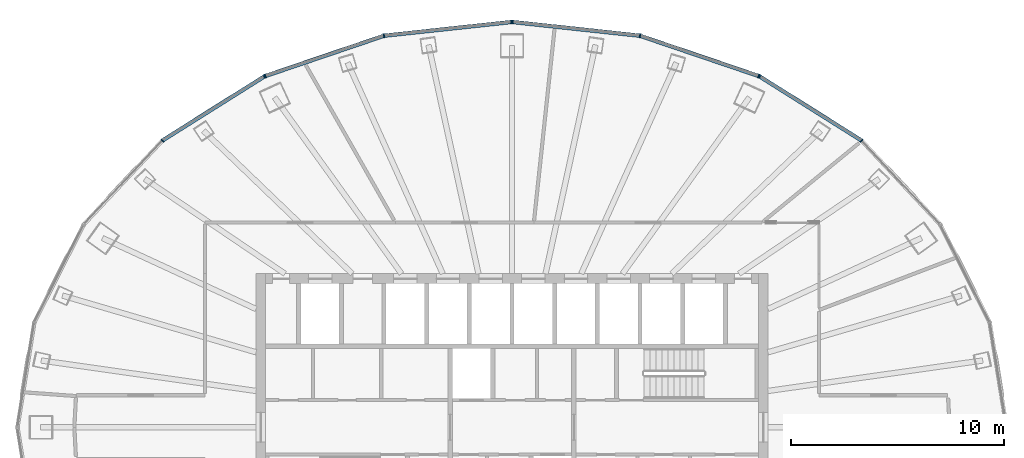
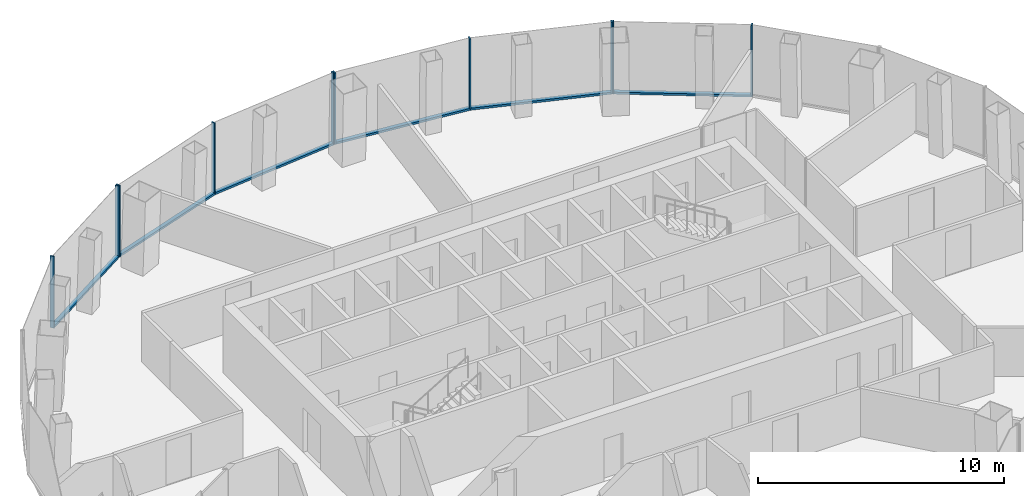
# One storey, part 6 of 11: 16 members, 4 elements without a shape of their own.
"""IFC4 building model written with IfcOpenShell, lengths in metres."""

import ifcopenshell
import ifcopenshell.guid

model = None  # the IFC model being written
_history = None  # IfcOwnerHistory: only IFC2X3 demands one
_inside = {}  # id of a spatial element -> (the spatial element, [elements in it])
_under = {}  # id of a project, library or spatial element -> (it, [spatial elements below it])
_declared = {}  # id of a project -> (the project, [libraries it declares])
_typed = {}  # id of a type object -> (the type object, [elements of that type])
_made_of = {}  # id of a material, layer set ... -> (it, [elements and type objects made of it])


def new_model(schema):
    """Start an empty IFC model of exactly this schema.

    Asked for "IFC4X3", IfcOpenShell would pick the latest addendum, in which some entities
    have other attributes; the version numbers below select the first issue.
    IFC2X3 requires an IfcOwnerHistory on every rooted entity: one is made here for all.
    """
    global model, _history
    if schema == "IFC4X3":
        model = ifcopenshell.file(schema_version=(4, 3, 0, 0))
    else:
        model = ifcopenshell.file(schema=schema)
    _inside.clear()
    _under.clear()
    _declared.clear()
    _typed.clear()
    _made_of.clear()
    _history = None
    if model.schema == "IFC2X3":
        org = make("IfcOrganization", Name="unknown")
        user = make(
            "IfcPersonAndOrganization",
            ThePerson=make("IfcPerson", FamilyName="unknown"),
            TheOrganization=org,
        )
        app = make(
            "IfcApplication",
            ApplicationDeveloper=org,
            Version="unknown",
            ApplicationFullName="unknown",
            ApplicationIdentifier="unknown",
        )
        _history = make(
            "IfcOwnerHistory",
            OwningUser=user,
            OwningApplication=app,
            ChangeAction="ADDED",
            CreationDate=0,
        )
    return model


def make(cls, **values):
    """One entity of the class cls with the attributes given. An attribute that is None is left unset."""
    return model.create_entity(
        cls, **{name: value for name, value in values.items() if value is not None}
    )


def rooted(cls, **values):
    """An entity with a GlobalId (a new one), such as an element, a storey or a relation."""
    return make(cls, GlobalId=ifcopenshell.guid.new(), OwnerHistory=_history, **values)


def si_unit(unit_type, name, prefix=None):
    """IfcSIUnit, for example si_unit("LENGTHUNIT", "METRE", prefix="MILLI")."""
    return make("IfcSIUnit", UnitType=unit_type, Prefix=prefix, Name=name)


def assignment(units):
    """IfcUnitAssignment: the units of a project."""
    return None if units is None else make("IfcUnitAssignment", Units=units)


def point(xyz):
    """IfcCartesianPoint."""
    return None if xyz is None else make("IfcCartesianPoint", Coordinates=xyz)


def direction(xyz):
    """IfcDirection."""
    return None if xyz is None else make("IfcDirection", DirectionRatios=xyz)


def frame(location, z_axis=None, x_axis=None):
    """IfcAxis2Placement3D, a coordinate frame: its origin and axes. An axis left out is left unset."""
    return make(
        "IfcAxis2Placement3D",
        Location=point(location),
        Axis=direction(z_axis),
        RefDirection=direction(x_axis),
    )


def frame_2d(location, x_axis=None):
    """IfcAxis2Placement2D, a coordinate frame in the plane: its origin and x axis."""
    return make(
        "IfcAxis2Placement2D", Location=point(location), RefDirection=direction(x_axis)
    )


def origin():
    """The frame at (0, 0, 0) with its axes left unset."""
    return frame((0.0, 0.0, 0.0))


def origin_2d():
    """The frame at (0, 0) in the plane with its x axis left unset."""
    return frame_2d((0.0, 0.0))


def place(relative_to, where):
    """IfcLocalPlacement: puts the frame where relative to a parent placement (None: the world)."""
    return make(
        "IfcLocalPlacement", PlacementRelTo=relative_to, RelativePlacement=where
    )


def context(
    kind, dimensions, precision=None, world=None, true_north=None, identifier=None
):
    """IfcGeometricRepresentationContext, for example the 3D "Model" context."""
    return make(
        "IfcGeometricRepresentationContext",
        ContextIdentifier=identifier,
        ContextType=kind,
        CoordinateSpaceDimension=dimensions,
        Precision=precision,
        WorldCoordinateSystem=world,
        TrueNorth=true_north,
    )


def subcontext(parent, identifier, kind, view, scale=None):
    """IfcGeometricRepresentationSubContext, for example "Body" below "Model"."""
    return make(
        "IfcGeometricRepresentationSubContext",
        ContextIdentifier=identifier,
        ContextType=kind,
        ParentContext=parent,
        TargetScale=scale,
        TargetView=view,
    )


def project(units=None, contexts=None):
    """IfcProject with its units and contexts."""
    return rooted(
        "IfcProject",
        Name="project",
        RepresentationContexts=contexts,
        UnitsInContext=assignment(units),
    )


def spatial(cls, under=None, at=None, **own):
    """A site, building, storey or space (cls), placed at a placement, below another one or the project."""
    s = rooted(cls, ObjectPlacement=at, **own)
    if under is not None:
        _under.setdefault(under.id(), (under, []))[1].append(s)
    return s


def profile(cls, at=None, kind="AREA", **sizes):
    """A parametric profile (cls). Its sizes go by their IFC names, for example OverallWidth=200.0."""
    return make(cls, ProfileType=kind, Position=at, **sizes)


def rectangle(**sizes):
    """IfcRectangleProfileDef."""
    return profile("IfcRectangleProfileDef", **sizes)


def extrude(swept, where, along, depth):
    """IfcExtrudedAreaSolid: the profile swept, set in the frame where, extruded along a direction by depth."""
    return make(
        "IfcExtrudedAreaSolid",
        SweptArea=swept,
        Position=where,
        ExtrudedDirection=direction(along),
        Depth=depth,
    )


def shape(context_of_items, identifier, shape_type, items):
    """IfcShapeRepresentation: the items that make up one representation, for example the "Body"."""
    return make(
        "IfcShapeRepresentation",
        ContextOfItems=context_of_items,
        RepresentationIdentifier=identifier,
        RepresentationType=shape_type,
        Items=items,
    )


def material(Name=None, Category=None):
    """IfcMaterial."""
    return make("IfcMaterial", Name=Name, Category=Category)


def layer(
    of_material, thickness, ventilated=None, Name=None, Category=None, Priority=None
):
    """IfcMaterialLayer: one layer of a wall or slab, of a material (None: an air gap)."""
    return make(
        "IfcMaterialLayer",
        Material=of_material,
        LayerThickness=thickness,
        IsVentilated=ventilated,
        Name=Name,
        Category=Category,
        Priority=Priority,
    )


def layer_set(layers, Name=None):
    """IfcMaterialLayerSet."""
    return make("IfcMaterialLayerSet", MaterialLayers=layers, LayerSetName=Name)


def material_profile(
    of_material, cross_section, Name=None, Category=None, Priority=None
):
    """IfcMaterialProfile: a cross section and its material."""
    return make(
        "IfcMaterialProfile",
        Name=Name,
        Material=of_material,
        Profile=cross_section,
        Priority=Priority,
        Category=Category,
    )


def profile_set(profiles, Name=None, composite=None):
    """IfcMaterialProfileSet."""
    return make(
        "IfcMaterialProfileSet",
        Name=Name,
        MaterialProfiles=profiles,
        CompositeProfile=composite,
    )


def made_of(thing, what):
    """Note that an element or type object is made of a material, layer set ...; save() writes the relation."""
    if what is not None:
        _made_of.setdefault(what.id(), (what, []))[1].append(thing)
    return thing


def type_object(cls, material=None, **own):
    """A type object (cls), such as IfcWallType, which elements share."""
    return made_of(rooted(cls, **own), material)


def element(
    cls,
    number,
    at=None,
    inside=None,
    cuts=None,
    type_object=None,
    material=None,
    context=None,
    identifier="Body",
    shape_type=None,
    held_by="IfcProductDefinitionShape",
    body=None,
    shapes=None,
    **own,
):
    """One element of the class cls, such as IfcWall. Its Tag is "e" and its number.

    at: its placement. inside: the storey or other place that contains it. cuts: it is an
    opening in that element (IfcRelVoidsElement). A single representation is given by context,
    identifier, shape_type and body (its items); several are given by shapes. held_by: the class
    of the entity that holds the representations. save() writes the other relations.
    """
    e = rooted(cls, Tag="e%d" % number, ObjectPlacement=at, **own)
    if body is not None:
        shapes = [shape(context, identifier, shape_type, body)]
    if shapes is not None:
        e.Representation = make(held_by, Representations=shapes)
    if inside is not None:
        _inside.setdefault(inside.id(), (inside, []))[1].append(e)
    if cuts is not None:
        rooted(
            "IfcRelVoidsElement", RelatingBuildingElement=cuts, RelatedOpeningElement=e
        )
    if type_object is not None:
        _typed.setdefault(type_object.id(), (type_object, []))[1].append(e)
    return made_of(e, material)


def aggregate(whole, parts):
    """IfcRelAggregates: a whole, such as a stair, and the parts it consists of."""
    return rooted("IfcRelAggregates", RelatingObject=whole, RelatedObjects=parts)


def save(model, path):
    """Write the relations noted so far, then the file.

    IfcRelAggregates (storeys below a building ...), IfcRelContainedInSpatialStructure (elements
    in a storey), IfcRelDefinesByType, IfcRelAssociatesMaterial and IfcRelDeclares: one each for
    every whole, place, type object, material and project.
    """
    for whole, parts in _under.values():
        aggregate(whole, parts)
    for where, things in _inside.values():
        rooted(
            "IfcRelContainedInSpatialStructure",
            RelatedElements=things,
            RelatingStructure=where,
        )
    for kind, things in _typed.values():
        rooted("IfcRelDefinesByType", RelatedObjects=things, RelatingType=kind)
    for what, things in _made_of.values():
        rooted("IfcRelAssociatesMaterial", RelatedObjects=things, RelatingMaterial=what)
    for by, libraries in _declared.values():
        rooted("IfcRelDeclares", RelatingContext=by, RelatedDefinitions=libraries)
    model.write(path)


model = new_model("IFC4")

# Units and contexts
model_context = context("Model", 3, precision=1e-05, world=origin(), true_north=direction((0.0, 1.0)))
body_context = subcontext(model_context, "Body", "Model", "MODEL_VIEW")
ifc_project = project(units=[si_unit("LENGTHUNIT", "METRE"), si_unit("AREAUNIT", "SQUARE_METRE"), si_unit("VOLUMEUNIT", "CUBIC_METRE"), si_unit("PLANEANGLEUNIT", "RADIAN"), si_unit("MASSUNIT", "GRAM", prefix="KILO")], contexts=[model_context])

# Site, building, storey
site_placement = place(None, origin())
site = spatial("IfcSite", under=ifc_project, at=site_placement, CompositionType="ELEMENT")
building_placement = place(site_placement, origin())
building = spatial("IfcBuilding", under=site, at=building_placement, Name="Siaravel Broadcast Tower", CompositionType="ELEMENT")
storey_placement = place(building_placement, frame((0.0, 0.0, 183.0)))
storey = spatial("IfcBuildingStorey", under=building, at=storey_placement, Name="L44", CompositionType="ELEMENT", Elevation=183.0)

# Curtain wall, members
ifc_material = material(Name="Aluminium 6063-T6", Category="aluminium")
ifc_layer = layer(ifc_material, 0.179931640625)
ifc_layer_set = layer_set([ifc_layer], Name="Aluminium 6063-T6")
curtain_wall_type = type_object("IfcCurtainWallType", Name="Unitised curtain wall, zone 3", PredefinedType="NOTDEFINED", material=ifc_layer_set)
curtain_wall_1_placement = place(storey_placement, origin())
curtain_wall_1 = element("IfcCurtainWall", 1, at=curtain_wall_1_placement, inside=storey, type_object=curtain_wall_type, Name="L44 Unitised curtain wall, zone 3 02", PredefinedType="NOTDEFINED")
ifc_material_profile_1 = material_profile(ifc_material, rectangle(XDim=0.179931640625, YDim=0.06005859375, at=origin_2d()))
ifc_profile_set_1 = profile_set([ifc_material_profile_1], Name="Aluminium 6063-T6")
member_type_1 = type_object("IfcMemberType", Name="CW-Z3 mullion", PredefinedType="MULLION", material=ifc_profile_set_1)
member_1_placement = place(storey_placement, frame((16.397216796875, 13.44384765625, 0.0), z_axis=(0.0, 0.0, 1.0), x_axis=(-0.636218366, -0.771509035, 0.0)))
member_1 = element("IfcMember", 2, at=member_1_placement, type_object=member_type_1, Name="CW-Z3 mullion 2", PredefinedType="MULLION", context=body_context, shape_type="SweptSolid", body=[
    extrude(rectangle(XDim=0.179931640625, YDim=0.06005859375, at=origin_2d()), origin(), (0.0, 0.0, 1.0), 3.550048828125),
])
member_2_placement = place(storey_placement, frame((11.618896484375, 16.447265625, 0.0), z_axis=(0.0, 0.0, 1.0), x_axis=(-0.532148919, -0.846650771, 0.0)))
member_2 = element("IfcMember", 3, at=member_2_placement, type_object=member_type_1, Name="CW-Z3 mullion 3", PredefinedType="MULLION", context=body_context, shape_type="SweptSolid", body=[
    extrude(rectangle(XDim=0.179931640625, YDim=0.06005859375, at=origin_2d()), origin(), (0.0, 0.0, 1.0), 3.550048828125),
])

curtain_wall_2_placement = place(storey_placement, origin())
curtain_wall_2 = element("IfcCurtainWall", 4, at=curtain_wall_2_placement, inside=storey, type_object=curtain_wall_type, Name="L44 Unitised curtain wall, zone 3 03", PredefinedType="NOTDEFINED")
member_3_placement = place(storey_placement, frame((11.565185546875, 16.472900390625, 0.0), z_axis=(0.0, 0.0, 1.0), x_axis=(-0.321300369, -0.946977335, 0.0)))
member_3 = element("IfcMember", 5, at=member_3_placement, type_object=member_type_1, Name="CW-Z3 mullion 1", PredefinedType="MULLION", context=body_context, shape_type="SweptSolid", body=[
    extrude(rectangle(XDim=0.179931640625, YDim=0.06005859375, at=origin_2d()), origin(), (0.0, 0.0, 1.0), 3.550048828125),
])
member_4_placement = place(storey_placement, frame((6.0009765625, 18.36083984375, 0.0), z_axis=(0.0, 0.0, 1.0), x_axis=(-0.215557889, -0.976491063, 0.0)))
member_4 = element("IfcMember", 6, at=member_4_placement, type_object=member_type_1, Name="CW-Z3 mullion 2", PredefinedType="MULLION", context=body_context, shape_type="SweptSolid", body=[
    extrude(rectangle(XDim=0.179931640625, YDim=0.06005859375, at=origin_2d()), origin(), (0.0, 0.0, 1.0), 3.550048828125),
])
member_5_placement = place(storey_placement, frame((0.02978515625, 19.004638671875, 0.0), z_axis=(0.0, 0.0, 1.0), x_axis=(-0.107217391, -0.994235601, 0.0)))
member_5 = element("IfcMember", 7, at=member_5_placement, type_object=member_type_1, Name="CW-Z3 mullion 3", PredefinedType="MULLION", context=body_context, shape_type="SweptSolid", body=[
    extrude(rectangle(XDim=0.179931640625, YDim=0.06005859375, at=origin_2d()), origin(), (0.0, 0.0, 1.0), 3.550048828125),
])

curtain_wall_3_placement = place(storey_placement, origin())
curtain_wall_3 = element("IfcCurtainWall", 8, at=curtain_wall_3_placement, inside=storey, type_object=curtain_wall_type, Name="L44 Unitised curtain wall, zone 3 04", PredefinedType="NOTDEFINED")
member_6_placement = place(storey_placement, frame((-0.02978515625, 19.004638671875, 0.0), z_axis=(0.0, 0.0, 1.0), x_axis=(0.107217391, -0.994235601, 0.0)))
member_6 = element("IfcMember", 9, at=member_6_placement, type_object=member_type_1, Name="CW-Z3 mullion 1", PredefinedType="MULLION", context=body_context, shape_type="SweptSolid", body=[
    extrude(rectangle(XDim=0.179931640625, YDim=0.06005859375, at=origin_2d()), origin(), (0.0, 0.0, 1.0), 3.550048828125),
])
member_7_placement = place(storey_placement, frame((-6.0009765625, 18.36083984375, 0.0), z_axis=(0.0, 0.0, 1.0), x_axis=(0.215557889, -0.976491063, 0.0)))
member_7 = element("IfcMember", 10, at=member_7_placement, type_object=member_type_1, Name="CW-Z3 mullion 2", PredefinedType="MULLION", context=body_context, shape_type="SweptSolid", body=[
    extrude(rectangle(XDim=0.179931640625, YDim=0.06005859375, at=origin_2d()), origin(), (0.0, 0.0, 1.0), 3.550048828125),
])
member_8_placement = place(storey_placement, frame((-11.565185546875, 16.472900390625, 0.0), z_axis=(0.0, 0.0, 1.0), x_axis=(0.321300369, -0.946977335, 0.0)))
member_8 = element("IfcMember", 11, at=member_8_placement, type_object=member_type_1, Name="CW-Z3 mullion 3", PredefinedType="MULLION", context=body_context, shape_type="SweptSolid", body=[
    extrude(rectangle(XDim=0.179931640625, YDim=0.06005859375, at=origin_2d()), origin(), (0.0, 0.0, 1.0), 3.550048828125),
])

curtain_wall_4_placement = place(storey_placement, origin())
curtain_wall_4 = element("IfcCurtainWall", 12, at=curtain_wall_4_placement, inside=storey, type_object=curtain_wall_type, Name="L44 Unitised curtain wall, zone 3 05", PredefinedType="NOTDEFINED")
member_9_placement = place(storey_placement, frame((-11.618896484375, 16.447265625, 0.0), z_axis=(0.0, 0.0, 1.0), x_axis=(0.532148919, -0.846650771, 0.0)))
member_9 = element("IfcMember", 13, at=member_9_placement, type_object=member_type_1, Name="CW-Z3 mullion 1", PredefinedType="MULLION", context=body_context, shape_type="SweptSolid", body=[
    extrude(rectangle(XDim=0.179931640625, YDim=0.06005859375, at=origin_2d()), origin(), (0.0, 0.0, 1.0), 3.550048828125),
])
member_10_placement = place(storey_placement, frame((-16.397216796875, 13.44384765625, 0.0), z_axis=(0.0, 0.0, 1.0), x_axis=(0.636218366, -0.771509035, 0.0)))
member_10 = element("IfcMember", 14, at=member_10_placement, type_object=member_type_1, Name="CW-Z3 mullion 2", PredefinedType="MULLION", context=body_context, shape_type="SweptSolid", body=[
    extrude(rectangle(XDim=0.179931640625, YDim=0.06005859375, at=origin_2d()), origin(), (0.0, 0.0, 1.0), 3.550048828125),
])

# Member
ifc_material_profile_2 = material_profile(ifc_material, rectangle(XDim=0.179931640625, YDim=0.10009765625, at=origin_2d()))
ifc_profile_set_2 = profile_set([ifc_material_profile_2], Name="Aluminium 6063-T6")
member_type_2 = type_object("IfcMemberType", Name="CW-Z3 transom", PredefinedType="USERDEFINED", material=ifc_profile_set_2)
member_11_placement = place(storey_placement, frame((16.371826171875, 13.4599609375, 0.050048828125), z_axis=(-0.846649494, 0.53215095, 0.0), x_axis=(-0.53215095, -0.846649494, 0.0)))
member_11 = element("IfcMember", 15, at=member_11_placement, type_object=member_type_2, Name="CW-Z3 transom 2", ObjectType="TRANSOM", PredefinedType="USERDEFINED", context=body_context, shape_type="SweptSolid", body=[
    extrude(rectangle(XDim=0.179931640625, YDim=0.10009765625, at=origin_2d()), origin(), (0.0, 0.0, 1.0), 5.583740234375),
])

aggregate(curtain_wall_1, [member_1, member_2, member_11])

member_12_placement = place(storey_placement, frame((11.536865234375, 16.482421875, 0.050048828125), z_axis=(-0.946978016, 0.321298361, 0.0), x_axis=(-0.321298361, -0.946978016, 0.0)))
member_12 = element("IfcMember", 16, at=member_12_placement, type_object=member_type_2, Name="CW-Z3 transom 1", ObjectType="TRANSOM", PredefinedType="USERDEFINED", context=body_context, shape_type="SweptSolid", body=[
    extrude(rectangle(XDim=0.179931640625, YDim=0.10009765625, at=origin_2d()), origin(), (0.0, 0.0, 1.0), 5.81591796875),
])

member_13_placement = place(storey_placement, frame((5.97119140625, 18.364013671875, 0.050048828125), z_axis=(-0.994236066, 0.107213083, 0.0), x_axis=(-0.107213083, -0.994236066, 0.0)))
member_13 = element("IfcMember", 17, at=member_13_placement, type_object=member_type_2, Name="CW-Z3 transom 2", ObjectType="TRANSOM", PredefinedType="USERDEFINED", context=body_context, shape_type="SweptSolid", body=[
    extrude(rectangle(XDim=0.179931640625, YDim=0.10009765625, at=origin_2d()), origin(), (0.0, 0.0, 1.0), 5.945556640625),
])

aggregate(curtain_wall_2, [member_3, member_4, member_5, member_12, member_13])

member_14_placement = place(storey_placement, frame((-0.059814453125, 19.00146484375, 0.050048828125), z_axis=(-0.994236066, -0.107213083, 0.0), x_axis=(0.107213083, -0.994236066, 0.0)))
member_14 = element("IfcMember", 18, at=member_14_placement, type_object=member_type_2, Name="CW-Z3 transom 1", ObjectType="TRANSOM", PredefinedType="USERDEFINED", context=body_context, shape_type="SweptSolid", body=[
    extrude(rectangle(XDim=0.179931640625, YDim=0.10009765625, at=origin_2d()), origin(), (0.0, 0.0, 1.0), 5.945556640625),
])

member_15_placement = place(storey_placement, frame((-6.029296875, 18.35107421875, 0.050048828125), z_axis=(-0.946978016, -0.321298361, 0.0), x_axis=(0.321298361, -0.946978016, 0.0)))
member_15 = element("IfcMember", 19, at=member_15_placement, type_object=member_type_2, Name="CW-Z3 transom 2", ObjectType="TRANSOM", PredefinedType="USERDEFINED", context=body_context, shape_type="SweptSolid", body=[
    extrude(rectangle(XDim=0.179931640625, YDim=0.10009765625, at=origin_2d()), origin(), (0.0, 0.0, 1.0), 5.81591796875),
])

aggregate(curtain_wall_3, [member_6, member_7, member_8, member_14, member_15])

member_16_placement = place(storey_placement, frame((-11.644287109375, 16.431396484375, 0.050048828125), z_axis=(-0.846649494, -0.53215095, 0.0), x_axis=(0.53215095, -0.846649494, 0.0)))
member_16 = element("IfcMember", 20, at=member_16_placement, type_object=member_type_2, Name="CW-Z3 transom 1", ObjectType="TRANSOM", PredefinedType="USERDEFINED", context=body_context, shape_type="SweptSolid", body=[
    extrude(rectangle(XDim=0.179931640625, YDim=0.10009765625, at=origin_2d()), origin(), (0.0, 0.0, 1.0), 5.583740234375),
])

aggregate(curtain_wall_4, [member_9, member_10, member_16])

save(model, "model.ifc")
